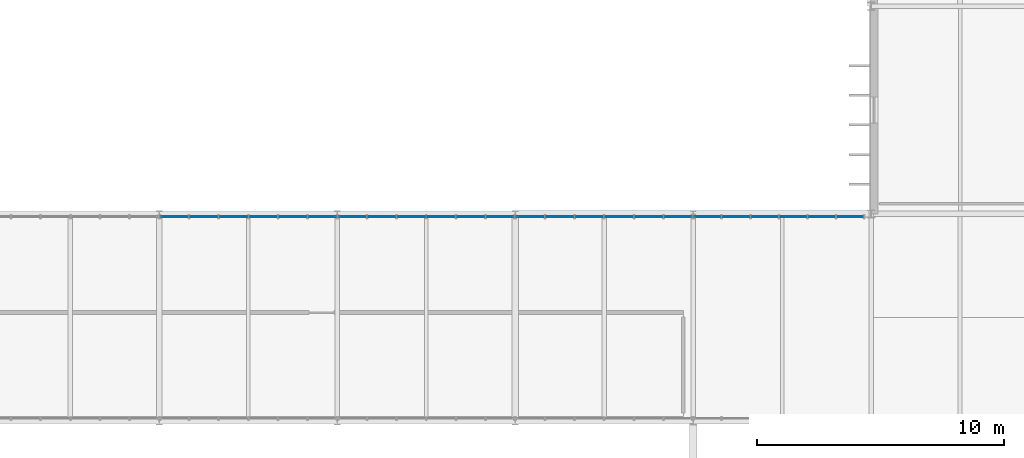
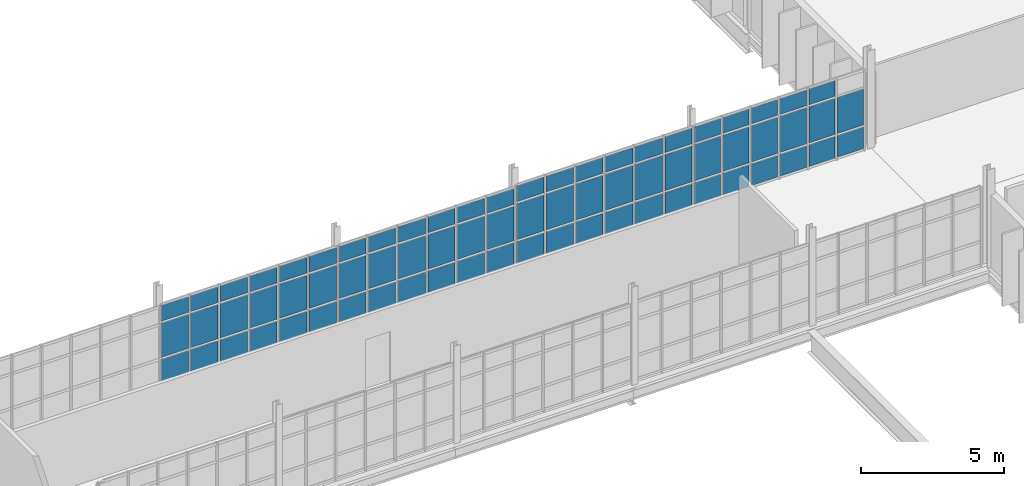
# One storey, part 63 of 99: 71 plates, 4 elements without a shape of their own.
"""IFC4 building model written with IfcOpenShell, lengths in metres."""

from ifc_helpers import new_model, si_unit, direction, frame, origin, origin_2d, place, context, subcontext, project, spatial, rectangle, extrude, material, layer, layer_set, type_object, element, aggregate, save


model = new_model("IFC4")

# Units and contexts
model_context = context("Model", 3, precision=1e-05, world=origin(), true_north=direction((0.0, 1.0)))
body_context = subcontext(model_context, "Body", "Model", "MODEL_VIEW")
ifc_project = project(units=[si_unit("LENGTHUNIT", "METRE"), si_unit("AREAUNIT", "SQUARE_METRE"), si_unit("VOLUMEUNIT", "CUBIC_METRE"), si_unit("PLANEANGLEUNIT", "RADIAN"), si_unit("MASSUNIT", "GRAM", prefix="KILO")], contexts=[model_context])

# Site, building, storey
site_placement = place(None, origin())
site = spatial("IfcSite", under=ifc_project, at=site_placement, CompositionType="ELEMENT")
building_placement = place(site_placement, origin())
building = spatial("IfcBuilding", under=site, at=building_placement, Name="Qelthora Terrace Specialist Clinic", CompositionType="ELEMENT")
storey_placement = place(building_placement, frame((0.0, 0.0, 9.0)))
storey = spatial("IfcBuildingStorey", under=building, at=storey_placement, Name="L02", CompositionType="ELEMENT", Elevation=9.0)

# Curtain wall, plates
ifc_material_1 = material(Name="Aluminium anodized bronze", Category="aluminium")
curtain_wall_type = type_object("IfcCurtainWallType", Name="CW-BRG-L02", PredefinedType="NOTDEFINED", material=ifc_material_1)
curtain_wall_1_placement = place(storey_placement, origin())
curtain_wall_1 = element("IfcCurtainWall", 1, at=curtain_wall_1_placement, inside=storey, type_object=curtain_wall_type, Name="Curtain wall CW-L02-258", PredefinedType="NOTDEFINED")
ifc_material_2 = material(Name="Low-E triple-silver insulating glass", Category="glass")
ifc_layer = layer(ifc_material_2, 0.035888671875)
ifc_layer_set = layer_set([ifc_layer], Name="Low-E triple-silver insulating glass")
plate_type = type_object("IfcPlateType", Name="CWP-IGU-36", PredefinedType="CURTAIN_PANEL", material=ifc_layer_set)
plate_1_placement = place(storey_placement, frame((65.39990234375, 67.080078125, 0.0849609375), z_axis=(0.0, 0.0, 1.0), x_axis=(1.0, 0.0, 0.0)))
plate_1 = element("IfcPlate", 2, at=plate_1_placement, type_object=plate_type, Name="CW-L02-258 glazed panel 1", PredefinedType="CURTAIN_PANEL", context=body_context, shape_type="SweptSolid", body=[
    extrude(rectangle(XDim=1.10009765625, YDim=0.035888671875, at=origin_2d()), origin(), (0.0, 0.0, 1.0), 0.919921875),
])
plate_2_placement = place(storey_placement, frame((65.39990234375, 67.080078125, 1.094970703125), z_axis=(0.0, 0.0, 1.0), x_axis=(1.0, 0.0, 0.0)))
plate_2 = element("IfcPlate", 3, at=plate_2_placement, type_object=plate_type, Name="CW-L02-258 glazed panel 2", PredefinedType="CURTAIN_PANEL", context=body_context, shape_type="SweptSolid", body=[
    extrude(rectangle(XDim=1.10009765625, YDim=0.035888671875, at=origin_2d()), origin(), (0.0, 0.0, 1.0), 1.4580078125),
])
plate_3_placement = place(storey_placement, frame((65.39990234375, 67.080078125, 2.64306640625), z_axis=(0.0, 0.0, 1.0), x_axis=(1.0, 0.0, 0.0)))
plate_3 = element("IfcPlate", 4, at=plate_3_placement, type_object=plate_type, Name="CW-L02-258 glazed panel 3", PredefinedType="CURTAIN_PANEL", context=body_context, shape_type="SweptSolid", body=[
    extrude(rectangle(XDim=1.10009765625, YDim=0.035888671875, at=origin_2d()), origin(), (0.0, 0.0, 1.0), 0.669921875),
])
plate_4_placement = place(storey_placement, frame((66.60009765625, 67.080078125, 0.0849609375), z_axis=(0.0, 0.0, 1.0), x_axis=(1.0, 0.0, 0.0)))
plate_4 = element("IfcPlate", 5, at=plate_4_placement, type_object=plate_type, Name="CW-L02-258 glazed panel 4", PredefinedType="CURTAIN_PANEL", context=body_context, shape_type="SweptSolid", body=[
    extrude(rectangle(XDim=1.10009765625, YDim=0.035888671875, at=origin_2d()), origin(), (0.0, 0.0, 1.0), 0.919921875),
])
plate_5_placement = place(storey_placement, frame((66.60009765625, 67.080078125, 1.094970703125), z_axis=(0.0, 0.0, 1.0), x_axis=(1.0, 0.0, 0.0)))
plate_5 = element("IfcPlate", 6, at=plate_5_placement, type_object=plate_type, Name="CW-L02-258 glazed panel 5", PredefinedType="CURTAIN_PANEL", context=body_context, shape_type="SweptSolid", body=[
    extrude(rectangle(XDim=1.10009765625, YDim=0.035888671875, at=origin_2d()), origin(), (0.0, 0.0, 1.0), 1.4580078125),
])
plate_6_placement = place(storey_placement, frame((66.60009765625, 67.080078125, 2.64306640625), z_axis=(0.0, 0.0, 1.0), x_axis=(1.0, 0.0, 0.0)))
plate_6 = element("IfcPlate", 7, at=plate_6_placement, type_object=plate_type, Name="CW-L02-258 glazed panel 6", PredefinedType="CURTAIN_PANEL", context=body_context, shape_type="SweptSolid", body=[
    extrude(rectangle(XDim=1.10009765625, YDim=0.035888671875, at=origin_2d()), origin(), (0.0, 0.0, 1.0), 0.669921875),
])
plate_7_placement = place(storey_placement, frame((67.800048828125, 67.080078125, 0.0849609375), z_axis=(0.0, 0.0, 1.0), x_axis=(1.0, 0.0, 0.0)))
plate_7 = element("IfcPlate", 8, at=plate_7_placement, type_object=plate_type, Name="CW-L02-258 glazed panel 7", PredefinedType="CURTAIN_PANEL", context=body_context, shape_type="SweptSolid", body=[
    extrude(rectangle(XDim=1.10009765625, YDim=0.035888671875, at=origin_2d()), origin(), (0.0, 0.0, 1.0), 0.919921875),
])
plate_8_placement = place(storey_placement, frame((67.800048828125, 67.080078125, 1.094970703125), z_axis=(0.0, 0.0, 1.0), x_axis=(1.0, 0.0, 0.0)))
plate_8 = element("IfcPlate", 9, at=plate_8_placement, type_object=plate_type, Name="CW-L02-258 glazed panel 8", PredefinedType="CURTAIN_PANEL", context=body_context, shape_type="SweptSolid", body=[
    extrude(rectangle(XDim=1.10009765625, YDim=0.035888671875, at=origin_2d()), origin(), (0.0, 0.0, 1.0), 1.4580078125),
])
plate_9_placement = place(storey_placement, frame((67.800048828125, 67.080078125, 2.64306640625), z_axis=(0.0, 0.0, 1.0), x_axis=(1.0, 0.0, 0.0)))
plate_9 = element("IfcPlate", 10, at=plate_9_placement, type_object=plate_type, Name="CW-L02-258 glazed panel 9", PredefinedType="CURTAIN_PANEL", context=body_context, shape_type="SweptSolid", body=[
    extrude(rectangle(XDim=1.10009765625, YDim=0.035888671875, at=origin_2d()), origin(), (0.0, 0.0, 1.0), 0.669921875),
])
plate_10_placement = place(storey_placement, frame((69.0, 67.080078125, 0.0849609375), z_axis=(0.0, 0.0, 1.0), x_axis=(1.0, 0.0, 0.0)))
plate_10 = element("IfcPlate", 11, at=plate_10_placement, type_object=plate_type, Name="CW-L02-258 glazed panel 10", PredefinedType="CURTAIN_PANEL", context=body_context, shape_type="SweptSolid", body=[
    extrude(rectangle(XDim=1.10009765625, YDim=0.035888671875, at=origin_2d()), origin(), (0.0, 0.0, 1.0), 0.919921875),
])
plate_11_placement = place(storey_placement, frame((69.0, 67.080078125, 1.094970703125), z_axis=(0.0, 0.0, 1.0), x_axis=(1.0, 0.0, 0.0)))
plate_11 = element("IfcPlate", 12, at=plate_11_placement, type_object=plate_type, Name="CW-L02-258 glazed panel 11", PredefinedType="CURTAIN_PANEL", context=body_context, shape_type="SweptSolid", body=[
    extrude(rectangle(XDim=1.10009765625, YDim=0.035888671875, at=origin_2d()), origin(), (0.0, 0.0, 1.0), 1.4580078125),
])
plate_12_placement = place(storey_placement, frame((69.0, 67.080078125, 2.64306640625), z_axis=(0.0, 0.0, 1.0), x_axis=(1.0, 0.0, 0.0)))
plate_12 = element("IfcPlate", 13, at=plate_12_placement, type_object=plate_type, Name="CW-L02-258 glazed panel 12", PredefinedType="CURTAIN_PANEL", context=body_context, shape_type="SweptSolid", body=[
    extrude(rectangle(XDim=1.10009765625, YDim=0.035888671875, at=origin_2d()), origin(), (0.0, 0.0, 1.0), 0.669921875),
])
plate_13_placement = place(storey_placement, frame((70.199951171875, 67.080078125, 0.0849609375), z_axis=(0.0, 0.0, 1.0), x_axis=(1.0, 0.0, 0.0)))
plate_13 = element("IfcPlate", 14, at=plate_13_placement, type_object=plate_type, Name="CW-L02-258 glazed panel 13", PredefinedType="CURTAIN_PANEL", context=body_context, shape_type="SweptSolid", body=[
    extrude(rectangle(XDim=1.10009765625, YDim=0.035888671875, at=origin_2d()), origin(), (0.0, 0.0, 1.0), 0.919921875),
])
plate_14_placement = place(storey_placement, frame((70.199951171875, 67.080078125, 1.094970703125), z_axis=(0.0, 0.0, 1.0), x_axis=(1.0, 0.0, 0.0)))
plate_14 = element("IfcPlate", 15, at=plate_14_placement, type_object=plate_type, Name="CW-L02-258 glazed panel 14", PredefinedType="CURTAIN_PANEL", context=body_context, shape_type="SweptSolid", body=[
    extrude(rectangle(XDim=1.10009765625, YDim=0.035888671875, at=origin_2d()), origin(), (0.0, 0.0, 1.0), 1.4580078125),
])
plate_15_placement = place(storey_placement, frame((70.199951171875, 67.080078125, 2.64306640625), z_axis=(0.0, 0.0, 1.0), x_axis=(1.0, 0.0, 0.0)))
plate_15 = element("IfcPlate", 16, at=plate_15_placement, type_object=plate_type, Name="CW-L02-258 glazed panel 15", PredefinedType="CURTAIN_PANEL", context=body_context, shape_type="SweptSolid", body=[
    extrude(rectangle(XDim=1.10009765625, YDim=0.035888671875, at=origin_2d()), origin(), (0.0, 0.0, 1.0), 0.669921875),
])
plate_16_placement = place(storey_placement, frame((71.39990234375, 67.080078125, 0.0849609375), z_axis=(0.0, 0.0, 1.0), x_axis=(1.0, 0.0, 0.0)))
plate_16 = element("IfcPlate", 17, at=plate_16_placement, type_object=plate_type, Name="CW-L02-258 glazed panel 16", PredefinedType="CURTAIN_PANEL", context=body_context, shape_type="SweptSolid", body=[
    extrude(rectangle(XDim=1.10009765625, YDim=0.035888671875, at=origin_2d()), origin(), (0.0, 0.0, 1.0), 0.919921875),
])
plate_17_placement = place(storey_placement, frame((71.39990234375, 67.080078125, 1.094970703125), z_axis=(0.0, 0.0, 1.0), x_axis=(1.0, 0.0, 0.0)))
plate_17 = element("IfcPlate", 18, at=plate_17_placement, type_object=plate_type, Name="CW-L02-258 glazed panel 17", PredefinedType="CURTAIN_PANEL", context=body_context, shape_type="SweptSolid", body=[
    extrude(rectangle(XDim=1.10009765625, YDim=0.035888671875, at=origin_2d()), origin(), (0.0, 0.0, 1.0), 1.4580078125),
])
plate_18_placement = place(storey_placement, frame((71.39990234375, 67.080078125, 2.64306640625), z_axis=(0.0, 0.0, 1.0), x_axis=(1.0, 0.0, 0.0)))
plate_18 = element("IfcPlate", 19, at=plate_18_placement, type_object=plate_type, Name="CW-L02-258 glazed panel 18", PredefinedType="CURTAIN_PANEL", context=body_context, shape_type="SweptSolid", body=[
    extrude(rectangle(XDim=1.10009765625, YDim=0.035888671875, at=origin_2d()), origin(), (0.0, 0.0, 1.0), 0.669921875),
])
aggregate(curtain_wall_1, [plate_1, plate_2, plate_3, plate_4, plate_5, plate_6, plate_7, plate_8, plate_9, plate_10, plate_11, plate_12, plate_13, plate_14, plate_15, plate_16, plate_17, plate_18])

curtain_wall_2_placement = place(storey_placement, origin())
curtain_wall_2 = element("IfcCurtainWall", 20, at=curtain_wall_2_placement, inside=storey, type_object=curtain_wall_type, Name="Curtain wall CW-L02-259", PredefinedType="NOTDEFINED")
plate_19_placement = place(storey_placement, frame((72.60009765625, 67.080078125, 0.0849609375), z_axis=(0.0, 0.0, 1.0), x_axis=(1.0, 0.0, 0.0)))
plate_19 = element("IfcPlate", 21, at=plate_19_placement, type_object=plate_type, Name="CW-L02-259 glazed panel 1", PredefinedType="CURTAIN_PANEL", context=body_context, shape_type="SweptSolid", body=[
    extrude(rectangle(XDim=1.10009765625, YDim=0.035888671875, at=origin_2d()), origin(), (0.0, 0.0, 1.0), 0.919921875),
])
plate_20_placement = place(storey_placement, frame((72.60009765625, 67.080078125, 1.0947265625), z_axis=(0.0, 0.0, 1.0), x_axis=(1.0, 0.0, 0.0)))
plate_20 = element("IfcPlate", 22, at=plate_20_placement, type_object=plate_type, Name="CW-L02-259 glazed panel 2", PredefinedType="CURTAIN_PANEL", context=body_context, shape_type="SweptSolid", body=[
    extrude(rectangle(XDim=1.10009765625, YDim=0.035888671875, at=origin_2d()), origin(), (0.0, 0.0, 1.0), 1.465087890625),
])
plate_21_placement = place(storey_placement, frame((72.60009765625, 67.080078125, 2.650146484375), z_axis=(0.0, 0.0, 1.0), x_axis=(1.0, 0.0, 0.0)))
plate_21 = element("IfcPlate", 23, at=plate_21_placement, type_object=plate_type, Name="CW-L02-259 glazed panel 3", PredefinedType="CURTAIN_PANEL", context=body_context, shape_type="SweptSolid", body=[
    extrude(rectangle(XDim=1.10009765625, YDim=0.035888671875, at=origin_2d()), origin(), (0.0, 0.0, 1.0), 0.669921875),
])
plate_22_placement = place(storey_placement, frame((73.800048828125, 67.080078125, 0.0849609375), z_axis=(0.0, 0.0, 1.0), x_axis=(1.0, 0.0, 0.0)))
plate_22 = element("IfcPlate", 24, at=plate_22_placement, type_object=plate_type, Name="CW-L02-259 glazed panel 4", PredefinedType="CURTAIN_PANEL", context=body_context, shape_type="SweptSolid", body=[
    extrude(rectangle(XDim=1.10009765625, YDim=0.035888671875, at=origin_2d()), origin(), (0.0, 0.0, 1.0), 0.919921875),
])
plate_23_placement = place(storey_placement, frame((73.800048828125, 67.080078125, 1.0947265625), z_axis=(0.0, 0.0, 1.0), x_axis=(1.0, 0.0, 0.0)))
plate_23 = element("IfcPlate", 25, at=plate_23_placement, type_object=plate_type, Name="CW-L02-259 glazed panel 5", PredefinedType="CURTAIN_PANEL", context=body_context, shape_type="SweptSolid", body=[
    extrude(rectangle(XDim=1.10009765625, YDim=0.035888671875, at=origin_2d()), origin(), (0.0, 0.0, 1.0), 1.465087890625),
])
plate_24_placement = place(storey_placement, frame((73.800048828125, 67.080078125, 2.650146484375), z_axis=(0.0, 0.0, 1.0), x_axis=(1.0, 0.0, 0.0)))
plate_24 = element("IfcPlate", 26, at=plate_24_placement, type_object=plate_type, Name="CW-L02-259 glazed panel 6", PredefinedType="CURTAIN_PANEL", context=body_context, shape_type="SweptSolid", body=[
    extrude(rectangle(XDim=1.10009765625, YDim=0.035888671875, at=origin_2d()), origin(), (0.0, 0.0, 1.0), 0.669921875),
])
plate_25_placement = place(storey_placement, frame((75.0, 67.080078125, 0.0849609375), z_axis=(0.0, 0.0, 1.0), x_axis=(1.0, 0.0, 0.0)))
plate_25 = element("IfcPlate", 27, at=plate_25_placement, type_object=plate_type, Name="CW-L02-259 glazed panel 7", PredefinedType="CURTAIN_PANEL", context=body_context, shape_type="SweptSolid", body=[
    extrude(rectangle(XDim=1.10009765625, YDim=0.035888671875, at=origin_2d()), origin(), (0.0, 0.0, 1.0), 0.919921875),
])
plate_26_placement = place(storey_placement, frame((75.0, 67.080078125, 1.0947265625), z_axis=(0.0, 0.0, 1.0), x_axis=(1.0, 0.0, 0.0)))
plate_26 = element("IfcPlate", 28, at=plate_26_placement, type_object=plate_type, Name="CW-L02-259 glazed panel 8", PredefinedType="CURTAIN_PANEL", context=body_context, shape_type="SweptSolid", body=[
    extrude(rectangle(XDim=1.10009765625, YDim=0.035888671875, at=origin_2d()), origin(), (0.0, 0.0, 1.0), 1.465087890625),
])
plate_27_placement = place(storey_placement, frame((75.0, 67.080078125, 2.650146484375), z_axis=(0.0, 0.0, 1.0), x_axis=(1.0, 0.0, 0.0)))
plate_27 = element("IfcPlate", 29, at=plate_27_placement, type_object=plate_type, Name="CW-L02-259 glazed panel 9", PredefinedType="CURTAIN_PANEL", context=body_context, shape_type="SweptSolid", body=[
    extrude(rectangle(XDim=1.10009765625, YDim=0.035888671875, at=origin_2d()), origin(), (0.0, 0.0, 1.0), 0.669921875),
])
plate_28_placement = place(storey_placement, frame((76.199951171875, 67.080078125, 0.0849609375), z_axis=(0.0, 0.0, 1.0), x_axis=(1.0, 0.0, 0.0)))
plate_28 = element("IfcPlate", 30, at=plate_28_placement, type_object=plate_type, Name="CW-L02-259 glazed panel 10", PredefinedType="CURTAIN_PANEL", context=body_context, shape_type="SweptSolid", body=[
    extrude(rectangle(XDim=1.10009765625, YDim=0.035888671875, at=origin_2d()), origin(), (0.0, 0.0, 1.0), 0.919921875),
])
plate_29_placement = place(storey_placement, frame((76.199951171875, 67.080078125, 1.0947265625), z_axis=(0.0, 0.0, 1.0), x_axis=(1.0, 0.0, 0.0)))
plate_29 = element("IfcPlate", 31, at=plate_29_placement, type_object=plate_type, Name="CW-L02-259 glazed panel 11", PredefinedType="CURTAIN_PANEL", context=body_context, shape_type="SweptSolid", body=[
    extrude(rectangle(XDim=1.10009765625, YDim=0.035888671875, at=origin_2d()), origin(), (0.0, 0.0, 1.0), 1.465087890625),
])
plate_30_placement = place(storey_placement, frame((76.199951171875, 67.080078125, 2.650146484375), z_axis=(0.0, 0.0, 1.0), x_axis=(1.0, 0.0, 0.0)))
plate_30 = element("IfcPlate", 32, at=plate_30_placement, type_object=plate_type, Name="CW-L02-259 glazed panel 12", PredefinedType="CURTAIN_PANEL", context=body_context, shape_type="SweptSolid", body=[
    extrude(rectangle(XDim=1.10009765625, YDim=0.035888671875, at=origin_2d()), origin(), (0.0, 0.0, 1.0), 0.669921875),
])
plate_31_placement = place(storey_placement, frame((77.39990234375, 67.080078125, 0.0849609375), z_axis=(0.0, 0.0, 1.0), x_axis=(1.0, 0.0, 0.0)))
plate_31 = element("IfcPlate", 33, at=plate_31_placement, type_object=plate_type, Name="CW-L02-259 glazed panel 13", PredefinedType="CURTAIN_PANEL", context=body_context, shape_type="SweptSolid", body=[
    extrude(rectangle(XDim=1.10009765625, YDim=0.035888671875, at=origin_2d()), origin(), (0.0, 0.0, 1.0), 0.919921875),
])
plate_32_placement = place(storey_placement, frame((77.39990234375, 67.080078125, 1.0947265625), z_axis=(0.0, 0.0, 1.0), x_axis=(1.0, 0.0, 0.0)))
plate_32 = element("IfcPlate", 34, at=plate_32_placement, type_object=plate_type, Name="CW-L02-259 glazed panel 14", PredefinedType="CURTAIN_PANEL", context=body_context, shape_type="SweptSolid", body=[
    extrude(rectangle(XDim=1.10009765625, YDim=0.035888671875, at=origin_2d()), origin(), (0.0, 0.0, 1.0), 1.465087890625),
])
plate_33_placement = place(storey_placement, frame((77.39990234375, 67.080078125, 2.650146484375), z_axis=(0.0, 0.0, 1.0), x_axis=(1.0, 0.0, 0.0)))
plate_33 = element("IfcPlate", 35, at=plate_33_placement, type_object=plate_type, Name="CW-L02-259 glazed panel 15", PredefinedType="CURTAIN_PANEL", context=body_context, shape_type="SweptSolid", body=[
    extrude(rectangle(XDim=1.10009765625, YDim=0.035888671875, at=origin_2d()), origin(), (0.0, 0.0, 1.0), 0.669921875),
])
plate_34_placement = place(storey_placement, frame((78.60009765625, 67.080078125, 0.0849609375), z_axis=(0.0, 0.0, 1.0), x_axis=(1.0, 0.0, 0.0)))
plate_34 = element("IfcPlate", 36, at=plate_34_placement, type_object=plate_type, Name="CW-L02-259 glazed panel 16", PredefinedType="CURTAIN_PANEL", context=body_context, shape_type="SweptSolid", body=[
    extrude(rectangle(XDim=1.10009765625, YDim=0.035888671875, at=origin_2d()), origin(), (0.0, 0.0, 1.0), 0.919921875),
])
plate_35_placement = place(storey_placement, frame((78.60009765625, 67.080078125, 1.0947265625), z_axis=(0.0, 0.0, 1.0), x_axis=(1.0, 0.0, 0.0)))
plate_35 = element("IfcPlate", 37, at=plate_35_placement, type_object=plate_type, Name="CW-L02-259 glazed panel 17", PredefinedType="CURTAIN_PANEL", context=body_context, shape_type="SweptSolid", body=[
    extrude(rectangle(XDim=1.10009765625, YDim=0.035888671875, at=origin_2d()), origin(), (0.0, 0.0, 1.0), 1.465087890625),
])
plate_36_placement = place(storey_placement, frame((78.60009765625, 67.080078125, 2.650146484375), z_axis=(0.0, 0.0, 1.0), x_axis=(1.0, 0.0, 0.0)))
plate_36 = element("IfcPlate", 38, at=plate_36_placement, type_object=plate_type, Name="CW-L02-259 glazed panel 18", PredefinedType="CURTAIN_PANEL", context=body_context, shape_type="SweptSolid", body=[
    extrude(rectangle(XDim=1.10009765625, YDim=0.035888671875, at=origin_2d()), origin(), (0.0, 0.0, 1.0), 0.669921875),
])
aggregate(curtain_wall_2, [plate_19, plate_20, plate_21, plate_22, plate_23, plate_24, plate_25, plate_26, plate_27, plate_28, plate_29, plate_30, plate_31, plate_32, plate_33, plate_34, plate_35, plate_36])

curtain_wall_3_placement = place(storey_placement, origin())
curtain_wall_3 = element("IfcCurtainWall", 39, at=curtain_wall_3_placement, inside=storey, type_object=curtain_wall_type, Name="Curtain wall CW-L02-260", PredefinedType="NOTDEFINED")
plate_37_placement = place(storey_placement, frame((79.800048828125, 67.080078125, 0.0849609375), z_axis=(0.0, 0.0, 1.0), x_axis=(1.0, 0.0, 0.0)))
plate_37 = element("IfcPlate", 40, at=plate_37_placement, type_object=plate_type, Name="CW-L02-260 glazed panel 1", PredefinedType="CURTAIN_PANEL", context=body_context, shape_type="SweptSolid", body=[
    extrude(rectangle(XDim=1.10009765625, YDim=0.035888671875, at=origin_2d()), origin(), (0.0, 0.0, 1.0), 0.919921875),
])
plate_38_placement = place(storey_placement, frame((79.800048828125, 67.080078125, 1.09521484375), z_axis=(0.0, 0.0, 1.0), x_axis=(1.0, 0.0, 0.0)))
plate_38 = element("IfcPlate", 41, at=plate_38_placement, type_object=plate_type, Name="CW-L02-260 glazed panel 2", PredefinedType="CURTAIN_PANEL", context=body_context, shape_type="SweptSolid", body=[
    extrude(rectangle(XDim=1.10009765625, YDim=0.035888671875, at=origin_2d()), origin(), (0.0, 0.0, 1.0), 1.535888671875),
])
plate_39_placement = place(storey_placement, frame((79.800048828125, 67.080078125, 2.720947265625), z_axis=(0.0, 0.0, 1.0), x_axis=(1.0, 0.0, 0.0)))
plate_39 = element("IfcPlate", 42, at=plate_39_placement, type_object=plate_type, Name="CW-L02-260 glazed panel 3", PredefinedType="CURTAIN_PANEL", context=body_context, shape_type="SweptSolid", body=[
    extrude(rectangle(XDim=1.10009765625, YDim=0.035888671875, at=origin_2d()), origin(), (0.0, 0.0, 1.0), 0.669921875),
])
plate_40_placement = place(storey_placement, frame((81.0, 67.080078125, 0.0849609375), z_axis=(0.0, 0.0, 1.0), x_axis=(1.0, 0.0, 0.0)))
plate_40 = element("IfcPlate", 43, at=plate_40_placement, type_object=plate_type, Name="CW-L02-260 glazed panel 4", PredefinedType="CURTAIN_PANEL", context=body_context, shape_type="SweptSolid", body=[
    extrude(rectangle(XDim=1.10009765625, YDim=0.035888671875, at=origin_2d()), origin(), (0.0, 0.0, 1.0), 0.919921875),
])
plate_41_placement = place(storey_placement, frame((81.0, 67.080078125, 1.09521484375), z_axis=(0.0, 0.0, 1.0), x_axis=(1.0, 0.0, 0.0)))
plate_41 = element("IfcPlate", 44, at=plate_41_placement, type_object=plate_type, Name="CW-L02-260 glazed panel 5", PredefinedType="CURTAIN_PANEL", context=body_context, shape_type="SweptSolid", body=[
    extrude(rectangle(XDim=1.10009765625, YDim=0.035888671875, at=origin_2d()), origin(), (0.0, 0.0, 1.0), 1.535888671875),
])
plate_42_placement = place(storey_placement, frame((81.0, 67.080078125, 2.720947265625), z_axis=(0.0, 0.0, 1.0), x_axis=(1.0, 0.0, 0.0)))
plate_42 = element("IfcPlate", 45, at=plate_42_placement, type_object=plate_type, Name="CW-L02-260 glazed panel 6", PredefinedType="CURTAIN_PANEL", context=body_context, shape_type="SweptSolid", body=[
    extrude(rectangle(XDim=1.10009765625, YDim=0.035888671875, at=origin_2d()), origin(), (0.0, 0.0, 1.0), 0.669921875),
])
plate_43_placement = place(storey_placement, frame((82.199951171875, 67.080078125, 0.0849609375), z_axis=(0.0, 0.0, 1.0), x_axis=(1.0, 0.0, 0.0)))
plate_43 = element("IfcPlate", 46, at=plate_43_placement, type_object=plate_type, Name="CW-L02-260 glazed panel 7", PredefinedType="CURTAIN_PANEL", context=body_context, shape_type="SweptSolid", body=[
    extrude(rectangle(XDim=1.10009765625, YDim=0.035888671875, at=origin_2d()), origin(), (0.0, 0.0, 1.0), 0.919921875),
])
plate_44_placement = place(storey_placement, frame((82.199951171875, 67.080078125, 1.09521484375), z_axis=(0.0, 0.0, 1.0), x_axis=(1.0, 0.0, 0.0)))
plate_44 = element("IfcPlate", 47, at=plate_44_placement, type_object=plate_type, Name="CW-L02-260 glazed panel 8", PredefinedType="CURTAIN_PANEL", context=body_context, shape_type="SweptSolid", body=[
    extrude(rectangle(XDim=1.10009765625, YDim=0.035888671875, at=origin_2d()), origin(), (0.0, 0.0, 1.0), 1.535888671875),
])
plate_45_placement = place(storey_placement, frame((82.199951171875, 67.080078125, 2.720947265625), z_axis=(0.0, 0.0, 1.0), x_axis=(1.0, 0.0, 0.0)))
plate_45 = element("IfcPlate", 48, at=plate_45_placement, type_object=plate_type, Name="CW-L02-260 glazed panel 9", PredefinedType="CURTAIN_PANEL", context=body_context, shape_type="SweptSolid", body=[
    extrude(rectangle(XDim=1.10009765625, YDim=0.035888671875, at=origin_2d()), origin(), (0.0, 0.0, 1.0), 0.669921875),
])
plate_46_placement = place(storey_placement, frame((83.39990234375, 67.080078125, 0.0849609375), z_axis=(0.0, 0.0, 1.0), x_axis=(1.0, 0.0, 0.0)))
plate_46 = element("IfcPlate", 49, at=plate_46_placement, type_object=plate_type, Name="CW-L02-260 glazed panel 10", PredefinedType="CURTAIN_PANEL", context=body_context, shape_type="SweptSolid", body=[
    extrude(rectangle(XDim=1.10009765625, YDim=0.035888671875, at=origin_2d()), origin(), (0.0, 0.0, 1.0), 0.919921875),
])
plate_47_placement = place(storey_placement, frame((83.39990234375, 67.080078125, 1.09521484375), z_axis=(0.0, 0.0, 1.0), x_axis=(1.0, 0.0, 0.0)))
plate_47 = element("IfcPlate", 50, at=plate_47_placement, type_object=plate_type, Name="CW-L02-260 glazed panel 11", PredefinedType="CURTAIN_PANEL", context=body_context, shape_type="SweptSolid", body=[
    extrude(rectangle(XDim=1.10009765625, YDim=0.035888671875, at=origin_2d()), origin(), (0.0, 0.0, 1.0), 1.535888671875),
])
plate_48_placement = place(storey_placement, frame((83.39990234375, 67.080078125, 2.720947265625), z_axis=(0.0, 0.0, 1.0), x_axis=(1.0, 0.0, 0.0)))
plate_48 = element("IfcPlate", 51, at=plate_48_placement, type_object=plate_type, Name="CW-L02-260 glazed panel 12", PredefinedType="CURTAIN_PANEL", context=body_context, shape_type="SweptSolid", body=[
    extrude(rectangle(XDim=1.10009765625, YDim=0.035888671875, at=origin_2d()), origin(), (0.0, 0.0, 1.0), 0.669921875),
])
plate_49_placement = place(storey_placement, frame((84.60009765625, 67.080078125, 0.0849609375), z_axis=(0.0, 0.0, 1.0), x_axis=(1.0, 0.0, 0.0)))
plate_49 = element("IfcPlate", 52, at=plate_49_placement, type_object=plate_type, Name="CW-L02-260 glazed panel 13", PredefinedType="CURTAIN_PANEL", context=body_context, shape_type="SweptSolid", body=[
    extrude(rectangle(XDim=1.10009765625, YDim=0.035888671875, at=origin_2d()), origin(), (0.0, 0.0, 1.0), 0.919921875),
])
plate_50_placement = place(storey_placement, frame((84.60009765625, 67.080078125, 1.09521484375), z_axis=(0.0, 0.0, 1.0), x_axis=(1.0, 0.0, 0.0)))
plate_50 = element("IfcPlate", 53, at=plate_50_placement, type_object=plate_type, Name="CW-L02-260 glazed panel 14", PredefinedType="CURTAIN_PANEL", context=body_context, shape_type="SweptSolid", body=[
    extrude(rectangle(XDim=1.10009765625, YDim=0.035888671875, at=origin_2d()), origin(), (0.0, 0.0, 1.0), 1.535888671875),
])
plate_51_placement = place(storey_placement, frame((84.60009765625, 67.080078125, 2.720947265625), z_axis=(0.0, 0.0, 1.0), x_axis=(1.0, 0.0, 0.0)))
plate_51 = element("IfcPlate", 54, at=plate_51_placement, type_object=plate_type, Name="CW-L02-260 glazed panel 15", PredefinedType="CURTAIN_PANEL", context=body_context, shape_type="SweptSolid", body=[
    extrude(rectangle(XDim=1.10009765625, YDim=0.035888671875, at=origin_2d()), origin(), (0.0, 0.0, 1.0), 0.669921875),
])
plate_52_placement = place(storey_placement, frame((85.800048828125, 67.080078125, 0.0849609375), z_axis=(0.0, 0.0, 1.0), x_axis=(1.0, 0.0, 0.0)))
plate_52 = element("IfcPlate", 55, at=plate_52_placement, type_object=plate_type, Name="CW-L02-260 glazed panel 16", PredefinedType="CURTAIN_PANEL", context=body_context, shape_type="SweptSolid", body=[
    extrude(rectangle(XDim=1.10009765625, YDim=0.035888671875, at=origin_2d()), origin(), (0.0, 0.0, 1.0), 0.919921875),
])
plate_53_placement = place(storey_placement, frame((85.800048828125, 67.080078125, 1.09521484375), z_axis=(0.0, 0.0, 1.0), x_axis=(1.0, 0.0, 0.0)))
plate_53 = element("IfcPlate", 56, at=plate_53_placement, type_object=plate_type, Name="CW-L02-260 glazed panel 17", PredefinedType="CURTAIN_PANEL", context=body_context, shape_type="SweptSolid", body=[
    extrude(rectangle(XDim=1.10009765625, YDim=0.035888671875, at=origin_2d()), origin(), (0.0, 0.0, 1.0), 1.535888671875),
])
plate_54_placement = place(storey_placement, frame((85.800048828125, 67.080078125, 2.720947265625), z_axis=(0.0, 0.0, 1.0), x_axis=(1.0, 0.0, 0.0)))
plate_54 = element("IfcPlate", 57, at=plate_54_placement, type_object=plate_type, Name="CW-L02-260 glazed panel 18", PredefinedType="CURTAIN_PANEL", context=body_context, shape_type="SweptSolid", body=[
    extrude(rectangle(XDim=1.10009765625, YDim=0.035888671875, at=origin_2d()), origin(), (0.0, 0.0, 1.0), 0.669921875),
])
aggregate(curtain_wall_3, [plate_37, plate_38, plate_39, plate_40, plate_41, plate_42, plate_43, plate_44, plate_45, plate_46, plate_47, plate_48, plate_49, plate_50, plate_51, plate_52, plate_53, plate_54])

curtain_wall_4_placement = place(storey_placement, origin())
curtain_wall_4 = element("IfcCurtainWall", 58, at=curtain_wall_4_placement, inside=storey, type_object=curtain_wall_type, Name="Curtain wall CW-L02-261", PredefinedType="NOTDEFINED")
plate_55_placement = place(storey_placement, frame((86.978271484375, 67.080078125, 0.0849609375), z_axis=(0.0, 0.0, 1.0), x_axis=(1.0, 0.0, 0.0)))
plate_55 = element("IfcPlate", 59, at=plate_55_placement, type_object=plate_type, Name="CW-L02-261 glazed panel 1", PredefinedType="CURTAIN_PANEL", context=body_context, shape_type="SweptSolid", body=[
    extrude(rectangle(XDim=1.056640625, YDim=0.035888671875, at=origin_2d()), origin(), (0.0, 0.0, 1.0), 0.919921875),
])
plate_56_placement = place(storey_placement, frame((86.978271484375, 67.080078125, 1.094970703125), z_axis=(0.0, 0.0, 1.0), x_axis=(1.0, 0.0, 0.0)))
plate_56 = element("IfcPlate", 60, at=plate_56_placement, type_object=plate_type, Name="CW-L02-261 glazed panel 2", PredefinedType="CURTAIN_PANEL", context=body_context, shape_type="SweptSolid", body=[
    extrude(rectangle(XDim=1.056640625, YDim=0.035888671875, at=origin_2d()), origin(), (0.0, 0.0, 1.0), 1.5419921875),
])
plate_57_placement = place(storey_placement, frame((86.978271484375, 67.080078125, 2.72705078125), z_axis=(0.0, 0.0, 1.0), x_axis=(1.0, 0.0, 0.0)))
plate_57 = element("IfcPlate", 61, at=plate_57_placement, type_object=plate_type, Name="CW-L02-261 glazed panel 3", PredefinedType="CURTAIN_PANEL", context=body_context, shape_type="SweptSolid", body=[
    extrude(rectangle(XDim=1.056640625, YDim=0.035888671875, at=origin_2d()), origin(), (0.0, 0.0, 1.0), 0.669921875),
])
plate_58_placement = place(storey_placement, frame((88.135009765625, 67.080078125, 0.0849609375), z_axis=(0.0, 0.0, 1.0), x_axis=(1.0, 0.0, 0.0)))
plate_58 = element("IfcPlate", 62, at=plate_58_placement, type_object=plate_type, Name="CW-L02-261 glazed panel 4", PredefinedType="CURTAIN_PANEL", context=body_context, shape_type="SweptSolid", body=[
    extrude(rectangle(XDim=1.056640625, YDim=0.035888671875, at=origin_2d()), origin(), (0.0, 0.0, 1.0), 0.919921875),
])
plate_59_placement = place(storey_placement, frame((88.135009765625, 67.080078125, 1.094970703125), z_axis=(0.0, 0.0, 1.0), x_axis=(1.0, 0.0, 0.0)))
plate_59 = element("IfcPlate", 63, at=plate_59_placement, type_object=plate_type, Name="CW-L02-261 glazed panel 5", PredefinedType="CURTAIN_PANEL", context=body_context, shape_type="SweptSolid", body=[
    extrude(rectangle(XDim=1.056640625, YDim=0.035888671875, at=origin_2d()), origin(), (0.0, 0.0, 1.0), 1.5419921875),
])
plate_60_placement = place(storey_placement, frame((88.135009765625, 67.080078125, 2.72705078125), z_axis=(0.0, 0.0, 1.0), x_axis=(1.0, 0.0, 0.0)))
plate_60 = element("IfcPlate", 64, at=plate_60_placement, type_object=plate_type, Name="CW-L02-261 glazed panel 6", PredefinedType="CURTAIN_PANEL", context=body_context, shape_type="SweptSolid", body=[
    extrude(rectangle(XDim=1.056640625, YDim=0.035888671875, at=origin_2d()), origin(), (0.0, 0.0, 1.0), 0.669921875),
])
plate_61_placement = place(storey_placement, frame((89.291748046875, 67.080078125, 0.0849609375), z_axis=(0.0, 0.0, 1.0), x_axis=(1.0, 0.0, 0.0)))
plate_61 = element("IfcPlate", 65, at=plate_61_placement, type_object=plate_type, Name="CW-L02-261 glazed panel 7", PredefinedType="CURTAIN_PANEL", context=body_context, shape_type="SweptSolid", body=[
    extrude(rectangle(XDim=1.056640625, YDim=0.035888671875, at=origin_2d()), origin(), (0.0, 0.0, 1.0), 0.919921875),
])
plate_62_placement = place(storey_placement, frame((89.291748046875, 67.080078125, 1.094970703125), z_axis=(0.0, 0.0, 1.0), x_axis=(1.0, 0.0, 0.0)))
plate_62 = element("IfcPlate", 66, at=plate_62_placement, type_object=plate_type, Name="CW-L02-261 glazed panel 8", PredefinedType="CURTAIN_PANEL", context=body_context, shape_type="SweptSolid", body=[
    extrude(rectangle(XDim=1.056640625, YDim=0.035888671875, at=origin_2d()), origin(), (0.0, 0.0, 1.0), 1.5419921875),
])
plate_63_placement = place(storey_placement, frame((89.291748046875, 67.080078125, 2.72705078125), z_axis=(0.0, 0.0, 1.0), x_axis=(1.0, 0.0, 0.0)))
plate_63 = element("IfcPlate", 67, at=plate_63_placement, type_object=plate_type, Name="CW-L02-261 glazed panel 9", PredefinedType="CURTAIN_PANEL", context=body_context, shape_type="SweptSolid", body=[
    extrude(rectangle(XDim=1.056640625, YDim=0.035888671875, at=origin_2d()), origin(), (0.0, 0.0, 1.0), 0.669921875),
])
plate_64_placement = place(storey_placement, frame((90.4482421875, 67.080078125, 0.0849609375), z_axis=(0.0, 0.0, 1.0), x_axis=(1.0, 0.0, 0.0)))
plate_64 = element("IfcPlate", 68, at=plate_64_placement, type_object=plate_type, Name="CW-L02-261 glazed panel 10", PredefinedType="CURTAIN_PANEL", context=body_context, shape_type="SweptSolid", body=[
    extrude(rectangle(XDim=1.056640625, YDim=0.035888671875, at=origin_2d()), origin(), (0.0, 0.0, 1.0), 0.919921875),
])
plate_65_placement = place(storey_placement, frame((90.4482421875, 67.080078125, 1.094970703125), z_axis=(0.0, 0.0, 1.0), x_axis=(1.0, 0.0, 0.0)))
plate_65 = element("IfcPlate", 69, at=plate_65_placement, type_object=plate_type, Name="CW-L02-261 glazed panel 11", PredefinedType="CURTAIN_PANEL", context=body_context, shape_type="SweptSolid", body=[
    extrude(rectangle(XDim=1.056640625, YDim=0.035888671875, at=origin_2d()), origin(), (0.0, 0.0, 1.0), 1.5419921875),
])
plate_66_placement = place(storey_placement, frame((90.4482421875, 67.080078125, 2.72705078125), z_axis=(0.0, 0.0, 1.0), x_axis=(1.0, 0.0, 0.0)))
plate_66 = element("IfcPlate", 70, at=plate_66_placement, type_object=plate_type, Name="CW-L02-261 glazed panel 12", PredefinedType="CURTAIN_PANEL", context=body_context, shape_type="SweptSolid", body=[
    extrude(rectangle(XDim=1.056640625, YDim=0.035888671875, at=origin_2d()), origin(), (0.0, 0.0, 1.0), 0.669921875),
])
plate_67_placement = place(storey_placement, frame((91.60498046875, 67.080078125, 0.0849609375), z_axis=(0.0, 0.0, 1.0), x_axis=(1.0, 0.0, 0.0)))
plate_67 = element("IfcPlate", 71, at=plate_67_placement, type_object=plate_type, Name="CW-L02-261 glazed panel 13", PredefinedType="CURTAIN_PANEL", context=body_context, shape_type="SweptSolid", body=[
    extrude(rectangle(XDim=1.056640625, YDim=0.035888671875, at=origin_2d()), origin(), (0.0, 0.0, 1.0), 0.919921875),
])
plate_68_placement = place(storey_placement, frame((91.60498046875, 67.080078125, 1.094970703125), z_axis=(0.0, 0.0, 1.0), x_axis=(1.0, 0.0, 0.0)))
plate_68 = element("IfcPlate", 72, at=plate_68_placement, type_object=plate_type, Name="CW-L02-261 glazed panel 14", PredefinedType="CURTAIN_PANEL", context=body_context, shape_type="SweptSolid", body=[
    extrude(rectangle(XDim=1.056640625, YDim=0.035888671875, at=origin_2d()), origin(), (0.0, 0.0, 1.0), 1.5419921875),
])
plate_69_placement = place(storey_placement, frame((91.60498046875, 67.080078125, 2.72705078125), z_axis=(0.0, 0.0, 1.0), x_axis=(1.0, 0.0, 0.0)))
plate_69 = element("IfcPlate", 73, at=plate_69_placement, type_object=plate_type, Name="CW-L02-261 glazed panel 15", PredefinedType="CURTAIN_PANEL", context=body_context, shape_type="SweptSolid", body=[
    extrude(rectangle(XDim=1.056640625, YDim=0.035888671875, at=origin_2d()), origin(), (0.0, 0.0, 1.0), 0.669921875),
])
plate_70_placement = place(storey_placement, frame((92.76171875, 67.080078125, 0.0849609375), z_axis=(0.0, 0.0, 1.0), x_axis=(1.0, 0.0, 0.0)))
plate_70 = element("IfcPlate", 74, at=plate_70_placement, type_object=plate_type, Name="CW-L02-261 glazed panel 16", PredefinedType="CURTAIN_PANEL", context=body_context, shape_type="SweptSolid", body=[
    extrude(rectangle(XDim=1.056640625, YDim=0.035888671875, at=origin_2d()), origin(), (0.0, 0.0, 1.0), 0.919921875),
])
plate_71_placement = place(storey_placement, frame((92.76171875, 67.080078125, 1.094970703125), z_axis=(0.0, 0.0, 1.0), x_axis=(1.0, 0.0, 0.0)))
plate_71 = element("IfcPlate", 75, at=plate_71_placement, type_object=plate_type, Name="CW-L02-261 glazed panel 17", PredefinedType="CURTAIN_PANEL", context=body_context, shape_type="SweptSolid", body=[
    extrude(rectangle(XDim=1.056640625, YDim=0.035888671875, at=origin_2d()), origin(), (0.0, 0.0, 1.0), 1.5419921875),
])
aggregate(curtain_wall_4, [plate_55, plate_56, plate_57, plate_58, plate_59, plate_60, plate_61, plate_62, plate_63, plate_64, plate_65, plate_66, plate_67, plate_68, plate_69, plate_70, plate_71])

save(model, "model.ifc")
